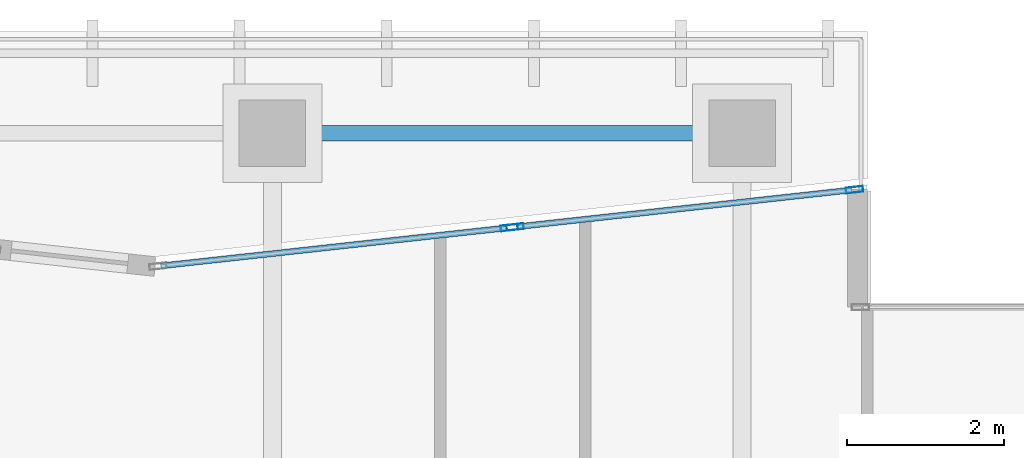
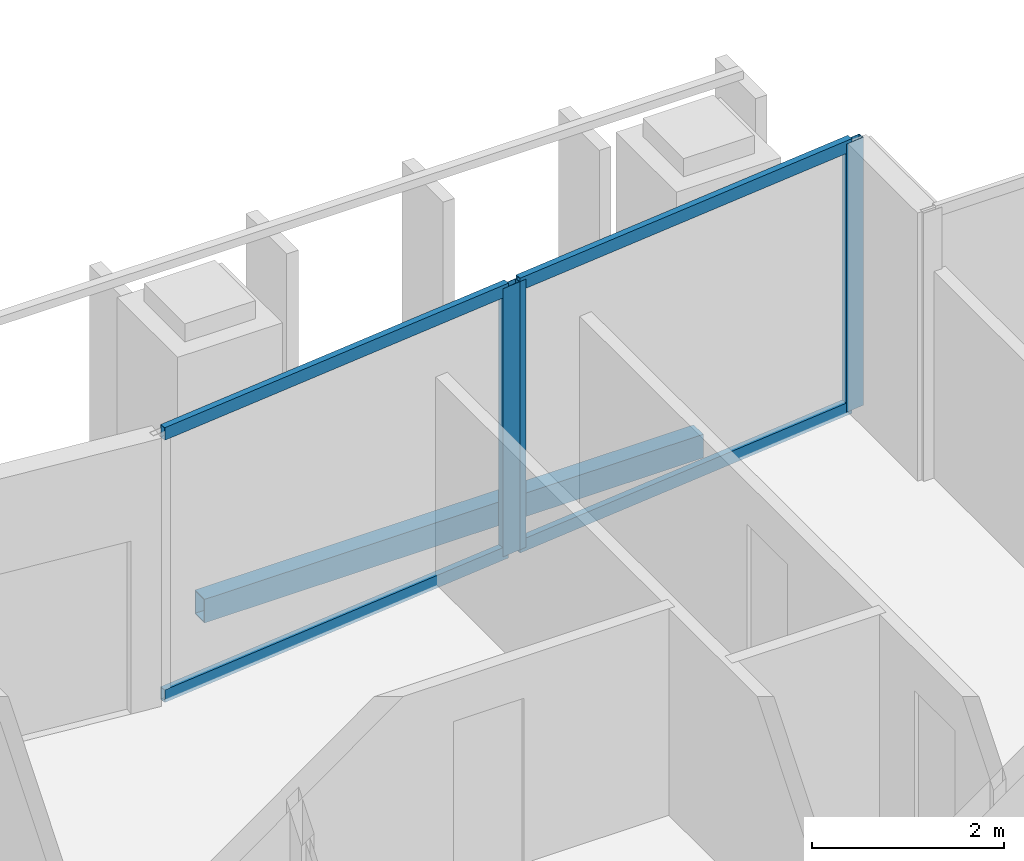
# One storey, part 10 of 28: 7 members, 1 beam, 2 elements without a shape of their own.
"""IFC4 building model written with IfcOpenShell, lengths in metres."""

import ifcopenshell
import ifcopenshell.guid

model = None  # the IFC model being written
_history = None  # IfcOwnerHistory: only IFC2X3 demands one
_inside = {}  # id of a spatial element -> (the spatial element, [elements in it])
_under = {}  # id of a project, library or spatial element -> (it, [spatial elements below it])
_declared = {}  # id of a project -> (the project, [libraries it declares])
_typed = {}  # id of a type object -> (the type object, [elements of that type])
_made_of = {}  # id of a material, layer set ... -> (it, [elements and type objects made of it])


def new_model(schema):
    """Start an empty IFC model of exactly this schema.

    Asked for "IFC4X3", IfcOpenShell would pick the latest addendum, in which some entities
    have other attributes; the version numbers below select the first issue.
    IFC2X3 requires an IfcOwnerHistory on every rooted entity: one is made here for all.
    """
    global model, _history
    if schema == "IFC4X3":
        model = ifcopenshell.file(schema_version=(4, 3, 0, 0))
    else:
        model = ifcopenshell.file(schema=schema)
    _inside.clear()
    _under.clear()
    _declared.clear()
    _typed.clear()
    _made_of.clear()
    _history = None
    if model.schema == "IFC2X3":
        org = make("IfcOrganization", Name="unknown")
        user = make(
            "IfcPersonAndOrganization",
            ThePerson=make("IfcPerson", FamilyName="unknown"),
            TheOrganization=org,
        )
        app = make(
            "IfcApplication",
            ApplicationDeveloper=org,
            Version="unknown",
            ApplicationFullName="unknown",
            ApplicationIdentifier="unknown",
        )
        _history = make(
            "IfcOwnerHistory",
            OwningUser=user,
            OwningApplication=app,
            ChangeAction="ADDED",
            CreationDate=0,
        )
    return model


def make(cls, **values):
    """One entity of the class cls with the attributes given. An attribute that is None is left unset."""
    return model.create_entity(
        cls, **{name: value for name, value in values.items() if value is not None}
    )


def rooted(cls, **values):
    """An entity with a GlobalId (a new one), such as an element, a storey or a relation."""
    return make(cls, GlobalId=ifcopenshell.guid.new(), OwnerHistory=_history, **values)


def si_unit(unit_type, name, prefix=None):
    """IfcSIUnit, for example si_unit("LENGTHUNIT", "METRE", prefix="MILLI")."""
    return make("IfcSIUnit", UnitType=unit_type, Prefix=prefix, Name=name)


def assignment(units):
    """IfcUnitAssignment: the units of a project."""
    return None if units is None else make("IfcUnitAssignment", Units=units)


def point(xyz):
    """IfcCartesianPoint."""
    return None if xyz is None else make("IfcCartesianPoint", Coordinates=xyz)


def direction(xyz):
    """IfcDirection."""
    return None if xyz is None else make("IfcDirection", DirectionRatios=xyz)


def frame(location, z_axis=None, x_axis=None):
    """IfcAxis2Placement3D, a coordinate frame: its origin and axes. An axis left out is left unset."""
    return make(
        "IfcAxis2Placement3D",
        Location=point(location),
        Axis=direction(z_axis),
        RefDirection=direction(x_axis),
    )


def frame_2d(location, x_axis=None):
    """IfcAxis2Placement2D, a coordinate frame in the plane: its origin and x axis."""
    return make(
        "IfcAxis2Placement2D", Location=point(location), RefDirection=direction(x_axis)
    )


def origin():
    """The frame at (0, 0, 0) with its axes left unset."""
    return frame((0.0, 0.0, 0.0))


def origin_2d():
    """The frame at (0, 0) in the plane with its x axis left unset."""
    return frame_2d((0.0, 0.0))


def place(relative_to, where):
    """IfcLocalPlacement: puts the frame where relative to a parent placement (None: the world)."""
    return make(
        "IfcLocalPlacement", PlacementRelTo=relative_to, RelativePlacement=where
    )


def context(
    kind, dimensions, precision=None, world=None, true_north=None, identifier=None
):
    """IfcGeometricRepresentationContext, for example the 3D "Model" context."""
    return make(
        "IfcGeometricRepresentationContext",
        ContextIdentifier=identifier,
        ContextType=kind,
        CoordinateSpaceDimension=dimensions,
        Precision=precision,
        WorldCoordinateSystem=world,
        TrueNorth=true_north,
    )


def subcontext(parent, identifier, kind, view, scale=None):
    """IfcGeometricRepresentationSubContext, for example "Body" below "Model"."""
    return make(
        "IfcGeometricRepresentationSubContext",
        ContextIdentifier=identifier,
        ContextType=kind,
        ParentContext=parent,
        TargetScale=scale,
        TargetView=view,
    )


def project(units=None, contexts=None):
    """IfcProject with its units and contexts."""
    return rooted(
        "IfcProject",
        Name="project",
        RepresentationContexts=contexts,
        UnitsInContext=assignment(units),
    )


def spatial(cls, under=None, at=None, **own):
    """A site, building, storey or space (cls), placed at a placement, below another one or the project."""
    s = rooted(cls, ObjectPlacement=at, **own)
    if under is not None:
        _under.setdefault(under.id(), (under, []))[1].append(s)
    return s


def profile(cls, at=None, kind="AREA", **sizes):
    """A parametric profile (cls). Its sizes go by their IFC names, for example OverallWidth=200.0."""
    return make(cls, ProfileType=kind, Position=at, **sizes)


def hollow_rectangle(**sizes):
    """IfcRectangleHollowProfileDef."""
    return profile("IfcRectangleHollowProfileDef", **sizes)


def extrude(swept, where, along, depth):
    """IfcExtrudedAreaSolid: the profile swept, set in the frame where, extruded along a direction by depth."""
    return make(
        "IfcExtrudedAreaSolid",
        SweptArea=swept,
        Position=where,
        ExtrudedDirection=direction(along),
        Depth=depth,
    )


def shape(context_of_items, identifier, shape_type, items):
    """IfcShapeRepresentation: the items that make up one representation, for example the "Body"."""
    return make(
        "IfcShapeRepresentation",
        ContextOfItems=context_of_items,
        RepresentationIdentifier=identifier,
        RepresentationType=shape_type,
        Items=items,
    )


def material(Name=None, Category=None):
    """IfcMaterial."""
    return make("IfcMaterial", Name=Name, Category=Category)


def layer(
    of_material, thickness, ventilated=None, Name=None, Category=None, Priority=None
):
    """IfcMaterialLayer: one layer of a wall or slab, of a material (None: an air gap)."""
    return make(
        "IfcMaterialLayer",
        Material=of_material,
        LayerThickness=thickness,
        IsVentilated=ventilated,
        Name=Name,
        Category=Category,
        Priority=Priority,
    )


def layer_set(layers, Name=None):
    """IfcMaterialLayerSet."""
    return make("IfcMaterialLayerSet", MaterialLayers=layers, LayerSetName=Name)


def material_profile(
    of_material, cross_section, Name=None, Category=None, Priority=None
):
    """IfcMaterialProfile: a cross section and its material."""
    return make(
        "IfcMaterialProfile",
        Name=Name,
        Material=of_material,
        Profile=cross_section,
        Priority=Priority,
        Category=Category,
    )


def profile_set(profiles, Name=None, composite=None):
    """IfcMaterialProfileSet."""
    return make(
        "IfcMaterialProfileSet",
        Name=Name,
        MaterialProfiles=profiles,
        CompositeProfile=composite,
    )


def made_of(thing, what):
    """Note that an element or type object is made of a material, layer set ...; save() writes the relation."""
    if what is not None:
        _made_of.setdefault(what.id(), (what, []))[1].append(thing)
    return thing


def type_object(cls, material=None, **own):
    """A type object (cls), such as IfcWallType, which elements share."""
    return made_of(rooted(cls, **own), material)


def element(
    cls,
    number,
    at=None,
    inside=None,
    cuts=None,
    type_object=None,
    material=None,
    context=None,
    identifier="Body",
    shape_type=None,
    held_by="IfcProductDefinitionShape",
    body=None,
    shapes=None,
    **own,
):
    """One element of the class cls, such as IfcWall. Its Tag is "e" and its number.

    at: its placement. inside: the storey or other place that contains it. cuts: it is an
    opening in that element (IfcRelVoidsElement). A single representation is given by context,
    identifier, shape_type and body (its items); several are given by shapes. held_by: the class
    of the entity that holds the representations. save() writes the other relations.
    """
    e = rooted(cls, Tag="e%d" % number, ObjectPlacement=at, **own)
    if body is not None:
        shapes = [shape(context, identifier, shape_type, body)]
    if shapes is not None:
        e.Representation = make(held_by, Representations=shapes)
    if inside is not None:
        _inside.setdefault(inside.id(), (inside, []))[1].append(e)
    if cuts is not None:
        rooted(
            "IfcRelVoidsElement", RelatingBuildingElement=cuts, RelatedOpeningElement=e
        )
    if type_object is not None:
        _typed.setdefault(type_object.id(), (type_object, []))[1].append(e)
    return made_of(e, material)


def aggregate(whole, parts):
    """IfcRelAggregates: a whole, such as a stair, and the parts it consists of."""
    return rooted("IfcRelAggregates", RelatingObject=whole, RelatedObjects=parts)


def save(model, path):
    """Write the relations noted so far, then the file.

    IfcRelAggregates (storeys below a building ...), IfcRelContainedInSpatialStructure (elements
    in a storey), IfcRelDefinesByType, IfcRelAssociatesMaterial and IfcRelDeclares: one each for
    every whole, place, type object, material and project.
    """
    for whole, parts in _under.values():
        aggregate(whole, parts)
    for where, things in _inside.values():
        rooted(
            "IfcRelContainedInSpatialStructure",
            RelatedElements=things,
            RelatingStructure=where,
        )
    for kind, things in _typed.values():
        rooted("IfcRelDefinesByType", RelatedObjects=things, RelatingType=kind)
    for what, things in _made_of.values():
        rooted("IfcRelAssociatesMaterial", RelatedObjects=things, RelatingMaterial=what)
    for by, libraries in _declared.values():
        rooted("IfcRelDeclares", RelatingContext=by, RelatedDefinitions=libraries)
    model.write(path)


model = new_model("IFC4")

# Units and contexts
model_context = context("Model", 3, precision=1e-05, world=origin(), true_north=direction((0.0, 1.0)))
body_context = subcontext(model_context, "Body", "Model", "MODEL_VIEW")
ifc_project = project(units=[si_unit("LENGTHUNIT", "METRE"), si_unit("AREAUNIT", "SQUARE_METRE"), si_unit("VOLUMEUNIT", "CUBIC_METRE"), si_unit("PLANEANGLEUNIT", "RADIAN"), si_unit("MASSUNIT", "GRAM", prefix="KILO")], contexts=[model_context])

# Site, building, storey
site_placement = place(None, origin())
site = spatial("IfcSite", under=ifc_project, at=site_placement, CompositionType="ELEMENT")
building_placement = place(site_placement, origin())
building = spatial("IfcBuilding", under=site, at=building_placement, Name="Tanjung Sevakor Pilgrim Tower", CompositionType="ELEMENT")
storey_placement = place(building_placement, frame((0.0, 0.0, 158.39990234375)))
storey = spatial("IfcBuildingStorey", under=building, at=storey_placement, Name="L44", CompositionType="ELEMENT", Elevation=158.39990234375)

# Beam
ifc_material_1 = material(Name="Steel S355J2", Category="steel")
ifc_material_profile_1 = material_profile(ifc_material_1, hollow_rectangle(XDim=0.199951171875, YDim=0.300048828125, WallThickness=0.012451171875, at=origin_2d()))
ifc_profile_set_1 = profile_set([ifc_material_profile_1], Name="Steel S355J2")
beam_type = type_object("IfcBeamType", Name="BM-B-SP3-RHS_300x200x12.5", PredefinedType="SPANDREL", material=ifc_profile_set_1)
beam_placement = place(storey_placement, frame((36.0, 54.0, -0.369873046875), z_axis=(1.0, 0.0, 0.0), x_axis=(0.0, 1.0, 0.0)))
element("IfcBeam", 1, at=beam_placement, inside=storey, type_object=beam_type, Name="L44 Spandrel MAIN N-06", PredefinedType="SPANDREL", context=body_context, shape_type="SweptSolid", body=[
    extrude(hollow_rectangle(XDim=0.199951171875, YDim=0.300048828125, WallThickness=0.012451171875, at=origin_2d()), origin(), (0.0, 0.0, 1.0), 6.0),
])

# Curtain wall, members
ifc_material_2 = material(Name="Aluminium 6063-T6 and Low-E Glass", Category="aluminium")
ifc_layer = layer(ifc_material_2, 0.199951171875)
ifc_layer_set = layer_set([ifc_layer], Name="CW-SYS-PRAY")
curtain_wall_type = type_object("IfcCurtainWallType", Name="CW-SYS-PRAY", PredefinedType="NOTDEFINED", material=ifc_layer_set)
curtain_wall_1_placement = place(storey_placement, origin())
curtain_wall_1 = element("IfcCurtainWall", 2, at=curtain_wall_1_placement, inside=storey, type_object=curtain_wall_type, Name="L44 Curtain Wall CW-PRY-L44-27", PredefinedType="NOTDEFINED")
ifc_material_3 = material(Name="Aluminium 6063-T6", Category="aluminium")
ifc_material_profile_2 = material_profile(ifc_material_3, hollow_rectangle(XDim=0.074951171875, YDim=0.219970703125, WallThickness=0.0048828125, at=origin_2d()))
ifc_profile_set_2 = profile_set([ifc_material_profile_2], Name="Aluminium 6063-T6")
member_type_1 = type_object("IfcMemberType", Name="TYPE-CWM-2", PredefinedType="MULLION", material=ifc_profile_set_2)
member_1_placement = place(storey_placement, frame((43.437744140625, 53.2763671875, 0.0), z_axis=(0.0, 0.0, 1.0), x_axis=(0.109241849142, -0.994015200284, 0.0)))
member_1 = element("IfcMember", 3, at=member_1_placement, type_object=member_type_1, Name="CW-PRY mullion 1", PredefinedType="MULLION", context=body_context, shape_type="SweptSolid", body=[
    extrude(hollow_rectangle(XDim=0.074951171875, YDim=0.219970703125, WallThickness=0.0048828125, at=origin_2d()), origin(), (0.0, 0.0, 1.0), 3.41015625),
])
member_2_placement = place(storey_placement, frame((39.10107421875, 52.7998046875, 0.0), z_axis=(0.0, 0.0, 1.0), x_axis=(0.109241849142, -0.994015200284, 0.0)))
member_2 = element("IfcMember", 4, at=member_2_placement, type_object=member_type_1, Name="CW-PRY mullion 2", PredefinedType="MULLION", context=body_context, shape_type="SweptSolid", body=[
    extrude(hollow_rectangle(XDim=0.074951171875, YDim=0.219970703125, WallThickness=0.0048828125, at=origin_2d()), origin(), (0.0, 0.0, 1.0), 3.41015625),
])

# Curtain wall, member
curtain_wall_2_placement = place(storey_placement, origin())
curtain_wall_2 = element("IfcCurtainWall", 5, at=curtain_wall_2_placement, inside=storey, type_object=curtain_wall_type, Name="L44 Curtain Wall CW-PRY-L44-28", PredefinedType="NOTDEFINED")
member_3_placement = place(storey_placement, frame((39.0263671875, 52.79150390625, 0.0), z_axis=(0.0, 0.0, 1.0), x_axis=(0.109231369397, -0.994016351948, 0.0)))
member_3 = element("IfcMember", 6, at=member_3_placement, type_object=member_type_1, Name="CW-PRY mullion 1", PredefinedType="MULLION", context=body_context, shape_type="SweptSolid", body=[
    extrude(hollow_rectangle(XDim=0.074951171875, YDim=0.219970703125, WallThickness=0.0048828125, at=origin_2d()), origin(), (0.0, 0.0, 1.0), 3.41015625),
])

# Member
ifc_material_4 = material(Name="Aluminium 6063-T6", Category="aluminium")
ifc_material_profile_3 = material_profile(ifc_material_4, hollow_rectangle(XDim=0.074951171875, YDim=0.159912109375, WallThickness=0.00439453125, at=origin_2d()))
ifc_profile_set_3 = profile_set([ifc_material_profile_3], Name="Aluminium 6063-T6")
member_type_2 = type_object("IfcMemberType", Name="TYPE-CWT-2", PredefinedType="USERDEFINED", material=ifc_profile_set_3)
member_4_placement = place(storey_placement, frame((43.400390625, 53.272216796875, 0.03759765625), z_axis=(-0.994019075008, -0.109206586428, 0.0), x_axis=(0.109206586428, -0.994019075008, 0.0)))
member_4 = element("IfcMember", 7, at=member_4_placement, type_object=member_type_2, Name="CW-PRY transom 1.1", ObjectType="TRANSOM", PredefinedType="USERDEFINED", context=body_context, shape_type="SweptSolid", body=[
    extrude(hollow_rectangle(XDim=0.074951171875, YDim=0.159912109375, WallThickness=0.00439453125, at=origin_2d()), origin(), (0.0, 0.0, 1.0), 4.287841796875),
])

member_5_placement = place(storey_placement, frame((43.400390625, 53.272216796875, 3.37255859375), z_axis=(-0.994019075008, -0.109206586428, 0.0), x_axis=(0.109206586428, -0.994019075008, 0.0)))
member_5 = element("IfcMember", 8, at=member_5_placement, type_object=member_type_2, Name="CW-PRY transom 1.2", ObjectType="TRANSOM", PredefinedType="USERDEFINED", context=body_context, shape_type="SweptSolid", body=[
    extrude(hollow_rectangle(XDim=0.074951171875, YDim=0.159912109375, WallThickness=0.00439453125, at=origin_2d()), origin(), (0.0, 0.0, 1.0), 4.287841796875),
])

aggregate(curtain_wall_1, [member_1, member_2, member_4, member_5])

member_6_placement = place(storey_placement, frame((38.9892578125, 52.78759765625, 0.03759765625), z_axis=(-0.994017074626, -0.109224792749, 0.0), x_axis=(0.109224792749, -0.994017074626, 0.0)))
member_6 = element("IfcMember", 9, at=member_6_placement, type_object=member_type_2, Name="CW-PRY transom 1.1", ObjectType="TRANSOM", PredefinedType="USERDEFINED", context=body_context, shape_type="SweptSolid", body=[
    extrude(hollow_rectangle(XDim=0.074951171875, YDim=0.159912109375, WallThickness=0.00439453125, at=origin_2d()), origin(), (0.0, 0.0, 1.0), 4.44140625),
])

member_7_placement = place(storey_placement, frame((38.9892578125, 52.78759765625, 3.37255859375), z_axis=(-0.994017074626, -0.109224792749, 0.0), x_axis=(0.109224792749, -0.994017074626, 0.0)))
member_7 = element("IfcMember", 10, at=member_7_placement, type_object=member_type_2, Name="CW-PRY transom 1.2", ObjectType="TRANSOM", PredefinedType="USERDEFINED", context=body_context, shape_type="SweptSolid", body=[
    extrude(hollow_rectangle(XDim=0.074951171875, YDim=0.159912109375, WallThickness=0.00439453125, at=origin_2d()), origin(), (0.0, 0.0, 1.0), 4.44140625),
])

aggregate(curtain_wall_2, [member_3, member_6, member_7])

save(model, "model.ifc")
